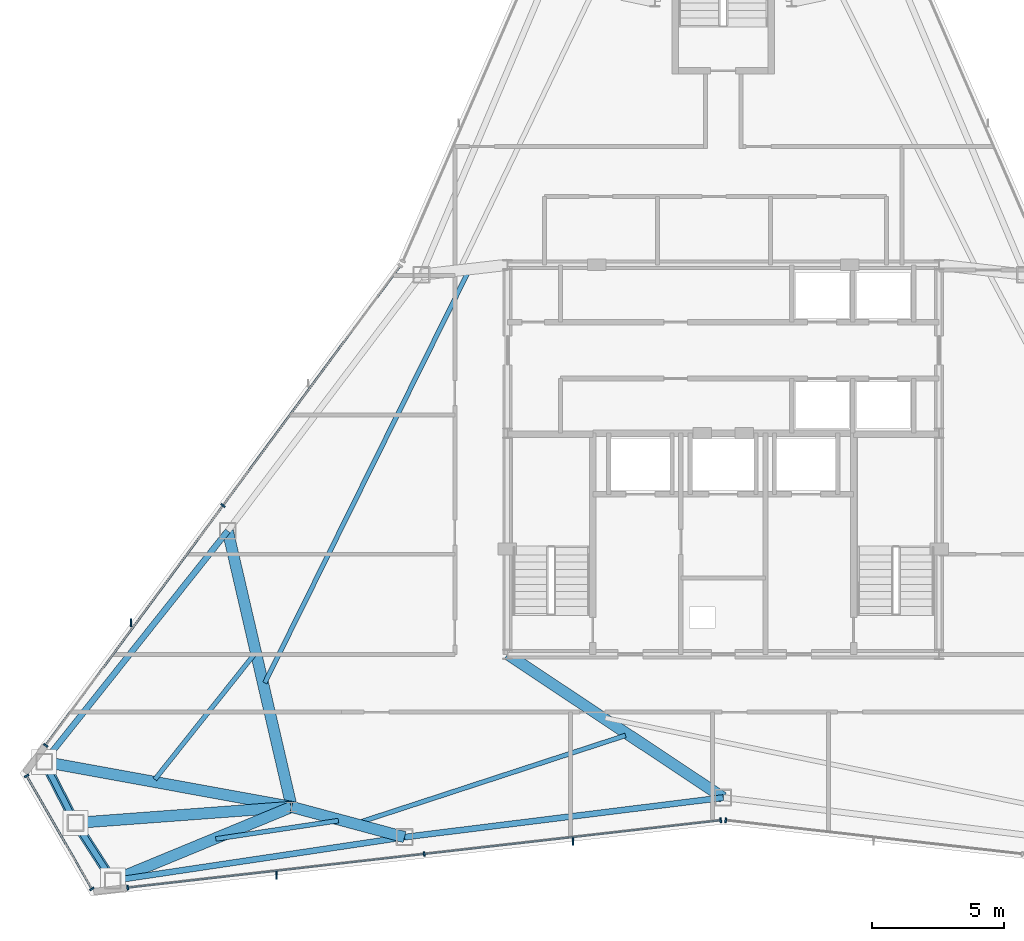
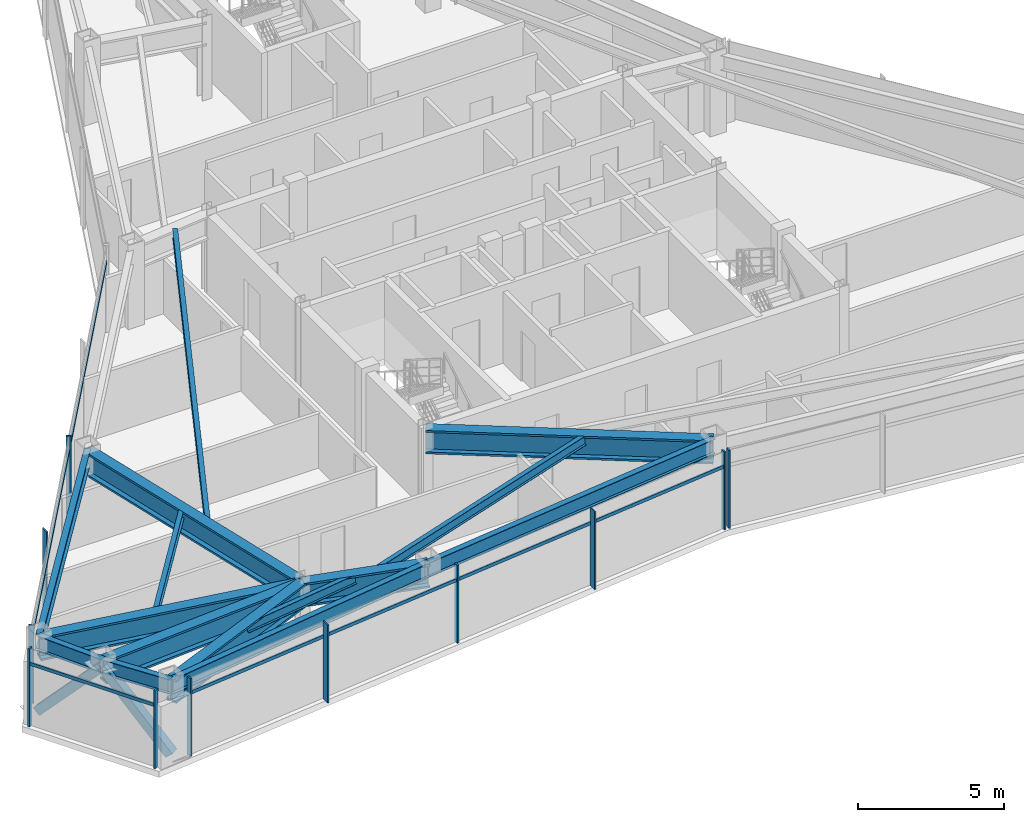
# One storey, part 3 of 12: 16 members, 15 beams, 4 elements without a shape of their own.
"""IFC4 building model written with IfcOpenShell, lengths in metres."""

from ifc_helpers import new_model, si_unit, direction, frame, origin, origin_2d, place, context, subcontext, project, spatial, rectangle, hollow_rectangle, i_section, extrude, source, transform, mapped, material, layer, layer_set, material_profile, profile_set, type_object, type_shapes, element, aggregate, save


model = new_model("IFC4")

# Units and contexts
model_context = context("Model", 3, precision=1e-05, world=origin(), true_north=direction((0.0, 1.0)))
body_context = subcontext(model_context, "Body", "Model", "MODEL_VIEW")
ifc_project = project(units=[si_unit("LENGTHUNIT", "METRE"), si_unit("AREAUNIT", "SQUARE_METRE"), si_unit("VOLUMEUNIT", "CUBIC_METRE"), si_unit("PLANEANGLEUNIT", "RADIAN"), si_unit("MASSUNIT", "GRAM", prefix="KILO")], contexts=[model_context])

# Site, building, storey
site_placement = place(None, origin())
site = spatial("IfcSite", under=ifc_project, at=site_placement, CompositionType="ELEMENT")
building_placement = place(site_placement, origin())
building = spatial("IfcBuilding", under=site, at=building_placement, Name="Varakhsha Concourse Tower", CompositionType="ELEMENT")
storey_placement = place(building_placement, frame((0.0, 0.0, 283.0)))
storey = spatial("IfcBuildingStorey", under=building, at=storey_placement, Name="L80", CompositionType="ELEMENT", Elevation=283.0)

# Beams
ifc_material_1 = material(Name="Structural Steel ASTM A992 Grade 50", Category="steel")
ifc_material_profile_1 = material_profile(ifc_material_1, i_section(OverallWidth=0.177978515625, OverallDepth=0.406982421875, WebThickness=0.008056640625, FlangeThickness=0.012939453125, at=origin_2d()), Name="W16X40")
ifc_profile_set_1 = profile_set([ifc_material_profile_1], Name="Structural Steel ASTM A992 Grade 50")
beam_type_1 = type_object("IfcBeamType", Name="BM-JST-W16X40", PredefinedType="JOIST", material=ifc_profile_set_1)
beam_1_placement = place(storey_placement, frame((30.3115234375, 30.935791015625, 3.04638671875), z_axis=(-0.443495386622, -0.896276654859, 0.0), x_axis=(0.896276654859, -0.443495386622, 0.0)))
element("IfcBeam", 1, at=beam_1_placement, inside=storey, type_object=beam_type_1, Name="BM-TJST-L80-05", PredefinedType="JOIST", context=body_context, shape_type="SweptSolid", body=[
    extrude(i_section(OverallWidth=0.177978515625, OverallDepth=0.406982421875, WebThickness=0.008056640625, FlangeThickness=0.012939453125, at=origin_2d()), origin(), (0.0, 0.0, 1.0), 17.431396484375),
])
beam_2_placement = place(storey_placement, frame((22.172119140625, 16.38623046875, 3.04638671875), z_axis=(-0.622322665735, -0.782760818969, 0.0), x_axis=(0.782760818969, -0.622322665735, 0.0)))
element("IfcBeam", 2, at=beam_2_placement, inside=storey, type_object=beam_type_1, Name="BM-TJST-L80-06", PredefinedType="JOIST", context=body_context, shape_type="SweptSolid", body=[
    extrude(i_section(OverallWidth=0.177978515625, OverallDepth=0.406982421875, WebThickness=0.008056640625, FlangeThickness=0.012939453125, at=origin_2d()), origin(), (0.0, 0.0, 1.0), 6.056396484375),
])
beam_3_placement = place(storey_placement, frame((20.71875, 9.38330078125, 3.04638671875), z_axis=(0.989050463815, 0.147577708437, 0.0), x_axis=(-0.147577708437, 0.989050463815, 0.0)))
element("IfcBeam", 3, at=beam_3_placement, inside=storey, type_object=beam_type_1, Name="BM-TJST-L80-09", PredefinedType="JOIST", context=body_context, shape_type="SweptSolid", body=[
    extrude(i_section(OverallWidth=0.177978515625, OverallDepth=0.406982421875, WebThickness=0.008056640625, FlangeThickness=0.012939453125, at=origin_2d()), origin(), (0.0, 0.0, 1.0), 4.71142578125),
])
beam_4_placement = place(storey_placement, frame((26.10693359375, 9.9912109375, 3.04638671875), z_axis=(0.950592002478, 0.3104429816, 0.0), x_axis=(-0.3104429816, 0.950592002478, 0.0)))
element("IfcBeam", 4, at=beam_4_placement, inside=storey, type_object=beam_type_1, Name="BM-TJST-L80-10", PredefinedType="JOIST", context=body_context, shape_type="SweptSolid", body=[
    extrude(i_section(OverallWidth=0.177978515625, OverallDepth=0.406982421875, WebThickness=0.008056640625, FlangeThickness=0.012939453125, at=origin_2d()), origin(), (0.0, 0.0, 1.0), 10.70947265625),
])
ifc_material_profile_2 = material_profile(ifc_material_1, i_section(OverallWidth=0.22900390625, OverallDepth=0.612060546875, WebThickness=0.011962890625, FlangeThickness=0.02001953125, at=origin_2d()), Name="W24X84")
ifc_profile_set_2 = profile_set([ifc_material_profile_2], Name="Structural Steel ASTM A992 Grade 50")
beam_type_2 = type_object("IfcBeamType", Name="BM-SPAN-W24X84", PredefinedType="SPANDREL", material=ifc_profile_set_2)
beam_5_placement = place(storey_placement, frame((21.172607421875, 21.08642578125, 2.944091796875), z_axis=(-0.62232797875, -0.782756594903, 0.0), x_axis=(0.782756594903, -0.62232797875, 0.0)))
element("IfcBeam", 5, at=beam_5_placement, inside=storey, type_object=beam_type_2, Name="BM-SPAN-L80-06", PredefinedType="SPANDREL", context=body_context, shape_type="SweptSolid", body=[
    extrude(i_section(OverallWidth=0.22900390625, OverallDepth=0.612060546875, WebThickness=0.011962890625, FlangeThickness=0.02001953125, at=origin_2d()), origin(), (0.0, 0.0, 1.0), 11.2080078125),
])
beam_6_placement = place(storey_placement, frame((14.197509765625, 12.313232421875, 2.944091796875), z_axis=(0.457026728921, -0.889452960562, 0.0), x_axis=(0.889452960562, 0.457026728921, 0.0)))
element("IfcBeam", 6, at=beam_6_placement, inside=storey, type_object=beam_type_2, Name="BM-SPAN-L80-07", PredefinedType="SPANDREL", context=body_context, shape_type="SweptSolid", body=[
    extrude(i_section(OverallWidth=0.22900390625, OverallDepth=0.612060546875, WebThickness=0.011962890625, FlangeThickness=0.02001953125, at=origin_2d()), origin(), (0.0, 0.0, 1.0), 2.610107421875),
])
beam_7_placement = place(storey_placement, frame((15.390380859375, 9.99169921875, 2.944091796875), z_axis=(0.541792375817, -0.840512356546, 0.0), x_axis=(0.840512356546, 0.541792375817, 0.0)))
element("IfcBeam", 7, at=beam_7_placement, inside=storey, type_object=beam_type_2, Name="BM-SPAN-L80-08", PredefinedType="SPANDREL", context=body_context, shape_type="SweptSolid", body=[
    extrude(i_section(OverallWidth=0.22900390625, OverallDepth=0.612060546875, WebThickness=0.011962890625, FlangeThickness=0.02001953125, at=origin_2d()), origin(), (0.0, 0.0, 1.0), 2.6103515625),
])
beam_8_placement = place(storey_placement, frame((16.8046875, 7.797607421875, 2.944091796875), z_axis=(0.989050299735, 0.147578808076, 0.0), x_axis=(-0.147578808076, 0.989050299735, 0.0)))
element("IfcBeam", 8, at=beam_8_placement, inside=storey, type_object=beam_type_2, Name="BM-SPAN-L80-09", PredefinedType="SPANDREL", context=body_context, shape_type="SweptSolid", body=[
    extrude(i_section(OverallWidth=0.22900390625, OverallDepth=0.612060546875, WebThickness=0.011962890625, FlangeThickness=0.02001953125, at=origin_2d()), origin(), (0.0, 0.0, 1.0), 11.2080078125),
])
beam_9_placement = place(storey_placement, frame((27.889892578125, 9.45166015625, 2.944091796875), z_axis=(0.992398980009, 0.123062035079, 0.0), x_axis=(-0.123062035079, 0.992398980009, 0.0)))
element("IfcBeam", 9, at=beam_9_placement, inside=storey, type_object=beam_type_2, Name="BM-SPAN-L80-10", PredefinedType="SPANDREL", context=body_context, shape_type="SweptSolid", body=[
    extrude(i_section(OverallWidth=0.22900390625, OverallDepth=0.612060546875, WebThickness=0.011962890625, FlangeThickness=0.02001953125, at=origin_2d()), origin(), (0.0, 0.0, 1.0), 12.202880859375),
])
ifc_material_profile_3 = material_profile(ifc_material_1, i_section(OverallWidth=0.427978515625, OverallDepth=0.97509765625, WebThickness=0.050048828125, FlangeThickness=0.0810546875, at=origin_2d()), Name="W36X395")
ifc_profile_set_3 = profile_set([ifc_material_profile_3], Name="Structural Steel ASTM A992 Grade 50")
beam_type_3 = type_object("IfcBeamType", Name="BM-XFER-W36X395", PredefinedType="USERDEFINED", material=ifc_profile_set_3)
beam_10_placement = place(storey_placement, frame((23.60009765625, 10.60009765625, 2.762451171875), z_axis=(-0.225527043555, 0.974236907854, 0.0), x_axis=(-0.974236907854, -0.225527043555, 0.0)))
element("IfcBeam", 10, at=beam_10_placement, inside=storey, type_object=beam_type_3, Name="L80 Radial Floor Girder 06", ObjectType="GIRDER", PredefinedType="USERDEFINED", context=body_context, shape_type="SweptSolid", body=[
    extrude(i_section(OverallWidth=0.427978515625, OverallDepth=0.97509765625, WebThickness=0.050048828125, FlangeThickness=0.0810546875, at=origin_2d()), origin(), (0.0, 0.0, 1.0), 10.763671875),
])
beam_11_placement = place(storey_placement, frame((23.60009765625, 10.60009765625, 2.762451171875), z_axis=(-0.983804040319, 0.179247343778, 0.0), x_axis=(-0.179247343778, -0.983804040319, 0.0)))
element("IfcBeam", 11, at=beam_11_placement, inside=storey, type_object=beam_type_3, Name="L80 Radial Floor Girder 07", ObjectType="GIRDER", PredefinedType="USERDEFINED", context=body_context, shape_type="SweptSolid", body=[
    extrude(i_section(OverallWidth=0.427978515625, OverallDepth=0.97509765625, WebThickness=0.050048828125, FlangeThickness=0.0810546875, at=origin_2d()), origin(), (0.0, 0.0, 1.0), 9.557373046875),
])
beam_12_placement = place(storey_placement, frame((23.60009765625, 10.60009765625, 2.762451171875), z_axis=(-0.997265326359, -0.073904457528, 0.0), x_axis=(0.073904457528, -0.997265326359, 0.0)))
element("IfcBeam", 12, at=beam_12_placement, inside=storey, type_object=beam_type_3, Name="L80 Radial Floor Girder 08", ObjectType="GIRDER", PredefinedType="USERDEFINED", context=body_context, shape_type="SweptSolid", body=[
    extrude(i_section(OverallWidth=0.427978515625, OverallDepth=0.97509765625, WebThickness=0.050048828125, FlangeThickness=0.0810546875, at=origin_2d()), origin(), (0.0, 0.0, 1.0), 8.232177734375),
])
beam_13_placement = place(storey_placement, frame((23.60009765625, 10.60009765625, 2.762451171875), z_axis=(-0.924468161954, -0.381259252392, 0.0), x_axis=(0.381259252392, -0.924468161954, 0.0)))
element("IfcBeam", 13, at=beam_13_placement, inside=storey, type_object=beam_type_3, Name="L80 Radial Floor Girder 09", ObjectType="GIRDER", PredefinedType="USERDEFINED", context=body_context, shape_type="SweptSolid", body=[
    extrude(i_section(OverallWidth=0.427978515625, OverallDepth=0.97509765625, WebThickness=0.050048828125, FlangeThickness=0.0810546875, at=origin_2d()), origin(), (0.0, 0.0, 1.0), 7.3505859375),
])
beam_14_placement = place(storey_placement, frame((23.60009765625, 10.60009765625, 2.762451171875), z_axis=(0.965982637978, -0.258606927838, 0.0), x_axis=(0.258606927838, 0.965982637978, 0.0)))
element("IfcBeam", 14, at=beam_14_placement, inside=storey, type_object=beam_type_3, Name="L80 Radial Floor Girder 10", ObjectType="GIRDER", PredefinedType="USERDEFINED", context=body_context, shape_type="SweptSolid", body=[
    extrude(i_section(OverallWidth=0.427978515625, OverallDepth=0.97509765625, WebThickness=0.050048828125, FlangeThickness=0.0810546875, at=origin_2d()), origin(), (0.0, 0.0, 1.0), 4.44091796875),
])
beam_15_placement = place(storey_placement, frame((31.800048828125, 16.39990234375, 2.762451171875), z_axis=(0.832991531821, -0.553285738036, 0.0), x_axis=(0.553285738036, 0.832991531821, 0.0)))
element("IfcBeam", 15, at=beam_15_placement, inside=storey, type_object=beam_type_3, Name="L80 Radial Floor Girder 11", ObjectType="GIRDER", PredefinedType="USERDEFINED", context=body_context, shape_type="SweptSolid", body=[
    extrude(i_section(OverallWidth=0.427978515625, OverallDepth=0.97509765625, WebThickness=0.050048828125, FlangeThickness=0.0810546875, at=origin_2d()), origin(), (0.0, 0.0, 1.0), 9.843994140625),
])

# Members
ifc_material_2 = material(Name="Structural Steel ASTM A500 Grade C", Category="steel")
ifc_material_profile_4 = material_profile(ifc_material_2, hollow_rectangle(XDim=0.35009765625, YDim=0.35009765625, WallThickness=0.01611328125, at=origin_2d()), Name="HSS 350x350x16")
ifc_profile_set_4 = profile_set([ifc_material_profile_4], Name="Structural Steel ASTM A500 Grade C")
member_type_1 = type_object("IfcMemberType", Name="MB-TUBE-HSS350", PredefinedType="BRACE", material=ifc_profile_set_4)
shared_shape_1 = source(origin(), body_context, "Body", "SweptSolid", [
    extrude(hollow_rectangle(XDim=0.35009765625, YDim=0.35009765625, WallThickness=0.01611328125, at=origin_2d()), origin(), (0.0, 0.0, 1.0), 3.849853515625),
])
member_1_placement = place(storey_placement, frame((16.8046875, 7.797607421875, 0.1201171875), z_axis=(-0.367355317678, 0.569898539612, 0.735027703643), x_axis=(-0.840512356546, -0.541792375817, 0.0)))
element("IfcMember", 16, at=member_1_placement, inside=storey, type_object=member_type_1, Name="L80 Wind-Corner Tube Brace B04", PredefinedType="BRACE", context=body_context, shape_type="MappedRepresentation", body=[
    mapped(shared_shape_1, transform((0.0, 0.0, 0.0), scale=1.0)),
])
shared_shape_2 = source(origin(), body_context, "Body", "SweptSolid", [
    extrude(hollow_rectangle(XDim=0.35009765625, YDim=0.35009765625, WallThickness=0.01611328125, at=origin_2d()), origin(), (0.0, 0.0, 1.0), 3.849609375),
])
type_shapes(member_type_1, [shared_shape_1, shared_shape_2])
member_2_placement = place(storey_placement, frame((14.197509765625, 12.313232421875, 0.1201171875), z_axis=(0.309858407684, -0.603037985809, 0.735073435011), x_axis=(0.889452960562, 0.457026728921, 0.0)))
element("IfcMember", 17, at=member_2_placement, inside=storey, type_object=member_type_1, Name="L80 Wind-Corner Tube Brace B03", PredefinedType="BRACE", context=body_context, shape_type="MappedRepresentation", body=[
    mapped(shared_shape_2, transform((0.0, 0.0, 0.0), scale=1.0)),
])

# Curtain wall, members
ifc_material_3 = material(Name="Anodised Bronze Architectural Aluminium AA 6063-T6", Category="aluminium")
ifc_layer = layer(ifc_material_3, 0.199951171875, Name="CW-SYS-05")
ifc_layer_set = layer_set([ifc_layer], Name="Anodised Bronze Architectural Aluminium AA 6063-T6")
curtain_wall_type = type_object("IfcCurtainWallType", Name="CW-SYS-05", PredefinedType="NOTDEFINED", material=ifc_layer_set)
curtain_wall_1_placement = place(storey_placement, origin())
curtain_wall_1 = element("IfcCurtainWall", 18, at=curtain_wall_1_placement, inside=storey, type_object=curtain_wall_type, Name="L80 Crystal Curtain Wall F3", PredefinedType="NOTDEFINED")
ifc_material_profile_5 = material_profile(ifc_material_3, rectangle(XDim=0.06494140625, YDim=0.179931640625, at=origin_2d()), Name="CWM-180X65")
ifc_profile_set_5 = profile_set([ifc_material_profile_5], Name="Anodised Bronze Architectural Aluminium AA 6063-T6")
member_type_2 = type_object("IfcMemberType", Name="CWM-180X65", PredefinedType="MULLION", material=ifc_profile_set_5)
shared_shape_3 = source(origin(), body_context, "Body", "SweptSolid", [
    extrude(rectangle(XDim=0.06494140625, YDim=0.179931640625, at=origin_2d()), origin(), (0.0, 0.0, 1.0), 3.25),
])
type_shapes(member_type_2, [shared_shape_3])
member_3_placement = place(storey_placement, frame((14.251220703125, 12.9365234375, 0.0), z_axis=(0.0, 0.0, 1.0), x_axis=(0.594533731364, 0.804070669948, 0.0)))
member_3 = element("IfcMember", 19, at=member_3_placement, type_object=member_type_2, Name="CW-L80-F3 Mullion 00", PredefinedType="MULLION", context=body_context, shape_type="MappedRepresentation", body=[
    mapped(shared_shape_3, transform((0.0, 0.0, 0.0), scale=1.0)),
])
member_4_placement = place(storey_placement, frame((20.991943359375, 22.05322265625, 0.0), z_axis=(0.0, 0.0, 1.0), x_axis=(0.594533731364, 0.804070669948, 0.0)))
member_4 = element("IfcMember", 20, at=member_4_placement, type_object=member_type_2, Name="CW-L80-F3 Mullion 01", PredefinedType="MULLION", context=body_context, shape_type="MappedRepresentation", body=[
    mapped(shared_shape_3, transform((0.0, 0.0, 0.0), scale=1.0)),
])

curtain_wall_2_placement = place(storey_placement, origin())
curtain_wall_2 = element("IfcCurtainWall", 21, at=curtain_wall_2_placement, inside=storey, type_object=curtain_wall_type, Name="L80 Chamfer Curtain Wall F4", PredefinedType="NOTDEFINED")
member_5_placement = place(storey_placement, frame((16.0068359375, 7.48388671875, 0.0), z_axis=(0.0, 0.0, 1.0), x_axis=(-0.499989419466, 0.866031512372, 0.0)))
member_5 = element("IfcMember", 22, at=member_5_placement, type_object=member_type_2, Name="CW-L80-F4 Mullion 00", PredefinedType="MULLION", context=body_context, shape_type="MappedRepresentation", body=[
    mapped(shared_shape_3, transform((0.0, 0.0, 0.0), scale=1.0)),
])
member_6_placement = place(storey_placement, frame((13.52685546875, 11.779296875, 0.0), z_axis=(0.0, 0.0, 1.0), x_axis=(-0.499989419466, 0.866031512372, 0.0)))
member_6 = element("IfcMember", 23, at=member_6_placement, type_object=member_type_2, Name="CW-L80-F4 Mullion 01", PredefinedType="MULLION", context=body_context, shape_type="MappedRepresentation", body=[
    mapped(shared_shape_3, transform((0.0, 0.0, 0.0), scale=1.0)),
])

curtain_wall_3_placement = place(storey_placement, origin())
curtain_wall_3 = element("IfcCurtainWall", 24, at=curtain_wall_3_placement, inside=storey, type_object=curtain_wall_type, Name="L80 Crystal Curtain Wall F5", PredefinedType="NOTDEFINED")
member_7_placement = place(storey_placement, frame((39.902587890625, 10.09130859375, 0.0), z_axis=(0.0, 0.0, 1.0), x_axis=(-0.993612689247, -0.112844245613, 0.0)))
member_7 = element("IfcMember", 25, at=member_7_placement, type_object=member_type_2, Name="CW-L80-F5 Mullion 00", PredefinedType="MULLION", context=body_context, shape_type="MappedRepresentation", body=[
    mapped(shared_shape_3, transform((0.0, 0.0, 0.0), scale=1.0)),
])
member_8_placement = place(storey_placement, frame((28.63671875, 8.81201171875, 0.0), z_axis=(0.0, 0.0, 1.0), x_axis=(-0.993612689247, -0.112844245613, 0.0)))
member_8 = element("IfcMember", 26, at=member_8_placement, type_object=member_type_2, Name="CW-L80-F5 Mullion 01", PredefinedType="MULLION", context=body_context, shape_type="MappedRepresentation", body=[
    mapped(shared_shape_3, transform((0.0, 0.0, 0.0), scale=1.0)),
])
member_9_placement = place(storey_placement, frame((17.37109375, 7.532470703125, 0.0), z_axis=(0.0, 0.0, 1.0), x_axis=(-0.993612689247, -0.112844245613, 0.0)))
member_9 = element("IfcMember", 27, at=member_9_placement, type_object=member_type_2, Name="CW-L80-F5 Mullion 02", PredefinedType="MULLION", context=body_context, shape_type="MappedRepresentation", body=[
    mapped(shared_shape_3, transform((0.0, 0.0, 0.0), scale=1.0)),
])

# Curtain wall, member
curtain_wall_4_placement = place(storey_placement, origin())
curtain_wall_4 = element("IfcCurtainWall", 28, at=curtain_wall_4_placement, inside=storey, type_object=curtain_wall_type, Name="L80 Crystal Curtain Wall F6", PredefinedType="NOTDEFINED")
member_10_placement = place(storey_placement, frame((40.097412109375, 10.09130859375, 0.0), z_axis=(0.0, 0.0, 1.0), x_axis=(-0.993612689247, 0.112844245613, 0.0)))
member_10 = element("IfcMember", 29, at=member_10_placement, type_object=member_type_2, Name="CW-L80-F6 Mullion 02", PredefinedType="MULLION", context=body_context, shape_type="MappedRepresentation", body=[
    mapped(shared_shape_3, transform((0.0, 0.0, 0.0), scale=1.0)),
])
aggregate(curtain_wall_4, [member_10])

# Member
ifc_material_profile_6 = material_profile(ifc_material_3, rectangle(XDim=0.054931640625, YDim=0.300048828125, at=origin_2d()), Name="FIN-BRZ-300")
ifc_profile_set_6 = profile_set([ifc_material_profile_6], Name="Anodised Bronze Architectural Aluminium AA 6063-T6")
member_type_3 = type_object("IfcMemberType", Name="FIN-BRZ-300", PredefinedType="USERDEFINED", material=ifc_profile_set_6)
shared_shape_4 = source(origin(), body_context, "Body", "SweptSolid", [
    extrude(rectangle(XDim=0.054931640625, YDim=0.300048828125, at=origin_2d()), origin(), (0.0, 0.0, 1.0), 3.25),
])
type_shapes(member_type_3, [shared_shape_4])
member_11_placement = place(storey_placement, frame((17.489013671875, 17.593017578125, 0.0), z_axis=(0.0, 0.0, 1.0), x_axis=(1.0, 0.0, 0.0)))
member_11 = element("IfcMember", 30, at=member_11_placement, type_object=member_type_3, Name="L80 Anodised Bronze Solar Fin F3-1", ObjectType="SOLAR FIN", PredefinedType="USERDEFINED", context=body_context, shape_type="MappedRepresentation", body=[
    mapped(shared_shape_4, transform((0.0, 0.0, 0.0), scale=1.0)),
])

member_12_placement = place(storey_placement, frame((34.288330078125, 9.28759765625, 0.0), z_axis=(0.0, 0.0, 1.0), x_axis=(1.0, 0.0, 0.0)))
member_12 = element("IfcMember", 31, at=member_12_placement, type_object=member_type_3, Name="L80 Anodised Bronze Solar Fin F5-1", ObjectType="SOLAR FIN", PredefinedType="USERDEFINED", context=body_context, shape_type="MappedRepresentation", body=[
    mapped(shared_shape_4, transform((0.0, 0.0, 0.0), scale=1.0)),
])

member_13_placement = place(storey_placement, frame((23.022705078125, 8.00830078125, 0.0), z_axis=(0.0, 0.0, 1.0), x_axis=(1.0, 0.0, 0.0)))
member_13 = element("IfcMember", 32, at=member_13_placement, type_object=member_type_3, Name="L80 Anodised Bronze Solar Fin F5-2", ObjectType="SOLAR FIN", PredefinedType="USERDEFINED", context=body_context, shape_type="MappedRepresentation", body=[
    mapped(shared_shape_4, transform((0.0, 0.0, 0.0), scale=1.0)),
])

ifc_material_profile_7 = material_profile(ifc_material_3, rectangle(XDim=0.06005859375, YDim=0.139892578125, at=origin_2d()), Name="CWT-140X60")
ifc_profile_set_7 = profile_set([ifc_material_profile_7], Name="Anodised Bronze Architectural Aluminium AA 6063-T6")
member_type_4 = type_object("IfcMemberType", Name="CWT-140X60", PredefinedType="USERDEFINED", material=ifc_profile_set_7)
shared_shape_5 = source(origin(), body_context, "Body", "SweptSolid", [
    extrude(rectangle(XDim=0.06005859375, YDim=0.139892578125, at=origin_2d()), origin(), (0.0, 0.0, 1.0), 4.9599609375),
])
member_14_placement = place(storey_placement, frame((16.0068359375, 7.48388671875, 2.60009765625), z_axis=(-0.50000366821, 0.866023285932, 0.0), x_axis=(-0.866023285932, -0.50000366821, 0.0)))
member_14 = element("IfcMember", 33, at=member_14_placement, type_object=member_type_4, Name="CW-L80-F4 Transom 01", ObjectType="TRANSOM", PredefinedType="USERDEFINED", context=body_context, shape_type="MappedRepresentation", body=[
    mapped(shared_shape_5, transform((0.0, 0.0, 0.0), scale=1.0)),
])

aggregate(curtain_wall_2, [member_5, member_6, member_14])

shared_shape_6 = source(origin(), body_context, "Body", "SweptSolid", [
    extrude(rectangle(XDim=0.06005859375, YDim=0.139892578125, at=origin_2d()), origin(), (0.0, 0.0, 1.0), 22.67626953125),
])
type_shapes(member_type_4, [shared_shape_5, shared_shape_6])
member_15_placement = place(storey_placement, frame((14.251220703125, 12.9365234375, 2.60009765625), z_axis=(0.594528790613, 0.80407432314, 0.0), x_axis=(-0.80407432314, 0.594528790613, 0.0)))
member_15 = element("IfcMember", 34, at=member_15_placement, type_object=member_type_4, Name="CW-L80-F3 Transom 01", ObjectType="TRANSOM", PredefinedType="USERDEFINED", context=body_context, shape_type="MappedRepresentation", body=[
    mapped(shared_shape_6, transform((0.0, 0.0, 0.0), scale=1.0)),
])

aggregate(curtain_wall_1, [member_3, member_4, member_15, member_11])

member_16_placement = place(storey_placement, frame((39.902587890625, 10.09130859375, 2.60009765625), z_axis=(-0.99361296623, -0.112841806706, 0.0), x_axis=(0.112841806706, -0.99361296623, 0.0)))
member_16 = element("IfcMember", 35, at=member_16_placement, type_object=member_type_4, Name="CW-L80-F5 Transom 01", ObjectType="TRANSOM", PredefinedType="USERDEFINED", context=body_context, shape_type="MappedRepresentation", body=[
    mapped(shared_shape_6, transform((0.0, 0.0, 0.0), scale=1.0)),
])

aggregate(curtain_wall_3, [member_7, member_8, member_9, member_16, member_12, member_13])

save(model, "model.ifc")
